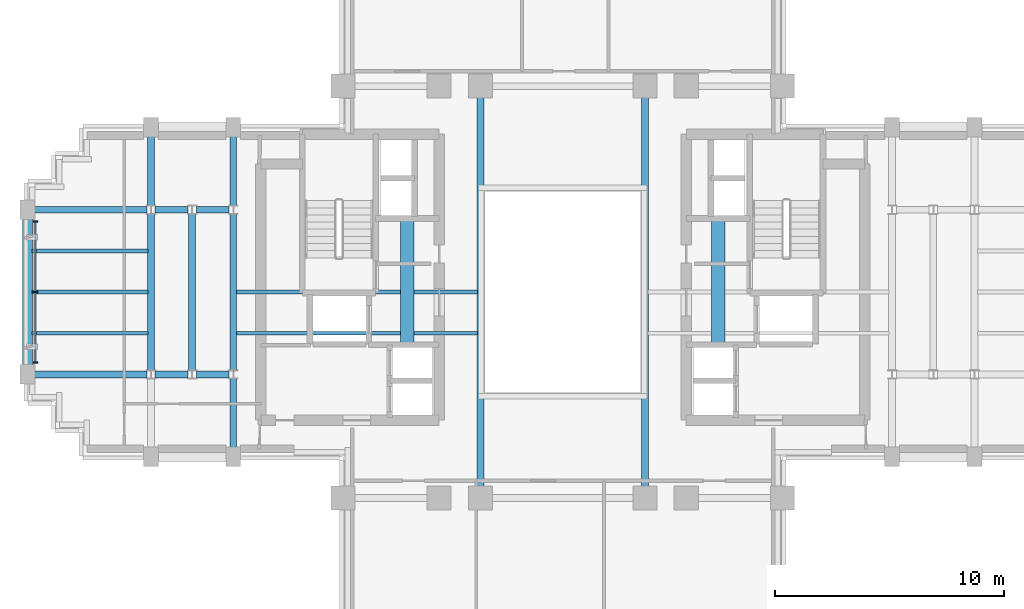
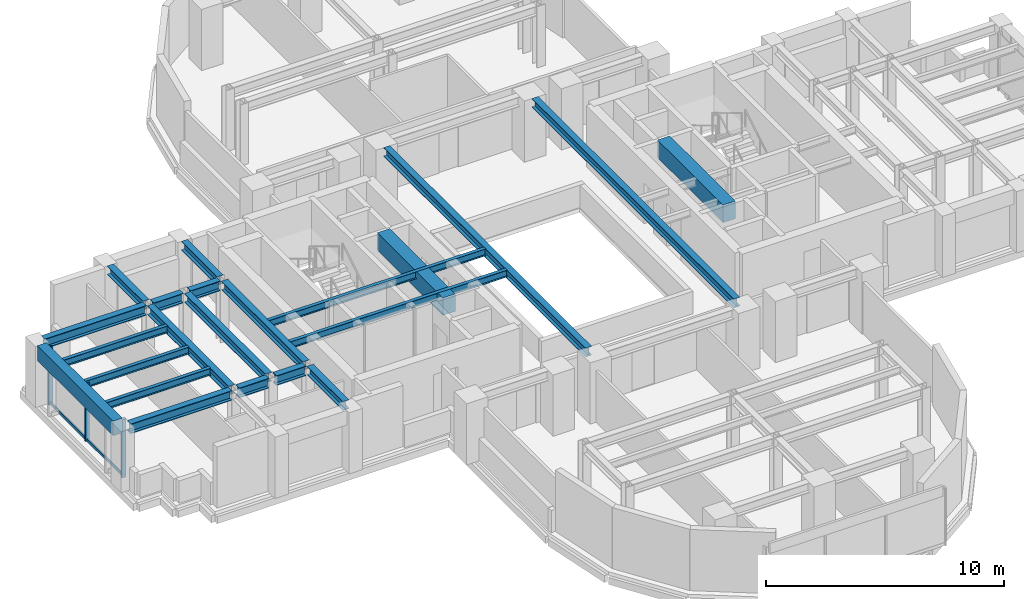
# One storey, part 4 of 13: 22 beams, 5 members, 1 element without a shape of its own.
"""IFC4 building model written with IfcOpenShell, lengths in metres."""

from ifc_helpers import new_model, si_unit, direction, frame, origin, origin_2d, place, context, subcontext, project, spatial, rectangle, i_section, extrude, source, transform, mapped, material, material_profile, profile_set, type_object, element, aggregate, save


model = new_model("IFC4")

# Units and contexts
model_context = context("Model", 3, precision=1e-05, world=origin(), true_north=direction((0.0, 1.0)))
body_context = subcontext(model_context, "Body", "Model", "MODEL_VIEW")
ifc_project = project(units=[si_unit("LENGTHUNIT", "METRE"), si_unit("AREAUNIT", "SQUARE_METRE"), si_unit("VOLUMEUNIT", "CUBIC_METRE"), si_unit("PLANEANGLEUNIT", "RADIAN"), si_unit("MASSUNIT", "GRAM", prefix="KILO")], contexts=[model_context])

# Site, building, storey
site_placement = place(None, origin())
site = spatial("IfcSite", under=ifc_project, at=site_placement, CompositionType="ELEMENT")
building_placement = place(site_placement, origin())
building = spatial("IfcBuilding", under=site, at=building_placement, Name="Keilestroom Media Tower", CompositionType="ELEMENT")
storey_placement = place(building_placement, frame((0.0, 0.0, 148.199951171875)))
storey = spatial("IfcBuildingStorey", under=building, at=storey_placement, Name="L40", CompositionType="ELEMENT", Elevation=148.199951171875)

# Beams
ifc_material_1 = material(Name="Concrete C70/85", Category="concrete")
ifc_material_profile_1 = material_profile(ifc_material_1, rectangle(XDim=0.60009765625, YDim=0.89990234375, at=origin_2d()), Name="RC 600x900")
ifc_profile_set_1 = profile_set([ifc_material_profile_1], Name="Concrete C70/85")
beam_type_1 = type_object("IfcBeamType", Name="Core-Coupling-Lintel-Beam-RC-600x900", PredefinedType="LINTEL", material=ifc_profile_set_1)
shared_shape_1 = source(origin(), body_context, "Body", "SweptSolid", [
    extrude(rectangle(XDim=0.60009765625, YDim=0.89990234375, at=origin_2d()), origin(), (0.0, 0.0, 1.0), 5.52001953125),
])
for number, where, z_axis, x_axis, name in (
    (1, (-6.800048828125, -2.300048828125, 2.68994140625), (0.0, 1.0, 0.0), (-1.0, 0.0, 0.0), "L40 Beam CLB-1 CLB-L40-W"),
    (2, (6.800048828125, -2.300048828125, 2.68994140625), (0.0, 1.0, 0.0), (-1.0, 0.0, 0.0), "L40 Beam CLB-1 CLB-L40-E"),
):
    element("IfcBeam", number, at=place(storey_placement, frame(where, z_axis=z_axis, x_axis=x_axis)), inside=storey, type_object=beam_type_1, Name=name, PredefinedType="LINTEL", context=body_context, shape_type="MappedRepresentation", body=[
        mapped(shared_shape_1, transform((0.0, 0.0, 0.0), x_axis=(1.0, 0.0, 0.0), y_axis=(0.0, 1.0, 0.0), z_axis=(0.0, 0.0, 1.0), scale=1.0)),
    ])
ifc_material_2 = material(Name="Steel S355", Category="steel")
ifc_material_profile_2 = material_profile(ifc_material_2, i_section(OverallWidth=0.169921875, OverallDepth=0.360107421875, WebThickness=0.008056640625, FlangeThickness=0.0126953125, at=origin_2d()), Name="IPE 360")
ifc_profile_set_2 = profile_set([ifc_material_profile_2], Name="Steel S355")
beam_type_2 = type_object("IfcBeamType", Name="Secondary-Floor-Joist-IPE-360", PredefinedType="JOIST", material=ifc_profile_set_2)
shared_shape_2 = source(origin(), body_context, "Body", "SweptSolid", [
    extrude(i_section(OverallWidth=0.169921875, OverallDepth=0.360107421875, WebThickness=0.008056640625, FlangeThickness=0.0126953125, at=origin_2d()), origin(), (0.0, 0.0, 1.0), 10.5400390625),
])
for number, where, z_axis, x_axis, name in (
    (3, (-14.27001953125, -1.800048828125, 2.9599609375), (1.0, 0.0, 0.0), (0.0, 1.0, 0.0), "L40 Beam BJ-5 JST-L40-072"),
    (4, (-14.27001953125, 0.0, 2.9599609375), (1.0, 0.0, 0.0), (0.0, 1.0, 0.0), "L40 Beam BJ-5 JST-L40-077"),
):
    element("IfcBeam", number, at=place(storey_placement, frame(where, z_axis=z_axis, x_axis=x_axis)), inside=storey, type_object=beam_type_2, Name=name, PredefinedType="JOIST", context=body_context, shape_type="MappedRepresentation", body=[
        mapped(shared_shape_2, transform((0.0, 0.0, 0.0), x_axis=(1.0, 0.0, 0.0), y_axis=(0.0, 1.0, 0.0), z_axis=(0.0, 0.0, 1.0), scale=1.0)),
    ])
ifc_material_profile_3 = material_profile(ifc_material_2, i_section(OverallWidth=0.300048828125, OverallDepth=0.5, WebThickness=0.012451171875, FlangeThickness=0.028076171875, at=origin_2d()), Name="HEB 500")
ifc_profile_set_3 = profile_set([ifc_material_profile_3], Name="Steel S355")
beam_type_3 = type_object("IfcBeamType", Name="Primary-Structural-Girder-HEB-500", PredefinedType="BEAM", material=ifc_profile_set_3)
shared_shape_3 = source(origin(), body_context, "Body", "SweptSolid", [
    extrude(i_section(OverallWidth=0.300048828125, OverallDepth=0.5, WebThickness=0.012451171875, FlangeThickness=0.028076171875, at=origin_2d()), origin(), (0.0, 0.0, 1.0), 4.91455078125),
])
for number, where, z_axis, x_axis, name in (
    (5, (-23.094970703125, -3.60009765625, 2.89013671875), (1.0, 0.0, 0.0), (0.0, 1.0, 0.0), "L40 Beam BG-6 BM-L40-EW-014"),
    (6, (-23.094970703125, 3.60009765625, 2.89013671875), (1.0, 0.0, 0.0), (0.0, 1.0, 0.0), "L40 Beam BG-6 BM-L40-EW-020"),
):
    element("IfcBeam", number, at=place(storey_placement, frame(where, z_axis=z_axis, x_axis=x_axis)), inside=storey, type_object=beam_type_3, Name=name, PredefinedType="BEAM", context=body_context, shape_type="MappedRepresentation", body=[
        mapped(shared_shape_3, transform((0.0, 0.0, 0.0), x_axis=(1.0, 0.0, 0.0), y_axis=(0.0, 1.0, 0.0), z_axis=(0.0, 0.0, 1.0), scale=1.0)),
    ])
shared_shape_4 = source(origin(), body_context, "Body", "SweptSolid", [
    extrude(i_section(OverallWidth=0.300048828125, OverallDepth=0.5, WebThickness=0.012451171875, FlangeThickness=0.028076171875, at=origin_2d()), origin(), (0.0, 0.0, 1.0), 1.43896484375),
])
for number, where, z_axis, x_axis, name in (
    (7, (-17.819580078125, -3.60009765625, 2.89013671875), (1.0, 0.0, 0.0), (0.0, 1.0, 0.0), "L40 Beam BG-6 BM-L40-EW-015"),
    (8, (-16.01953125, -3.60009765625, 2.89013671875), (1.0, 0.0, 0.0), (0.0, 1.0, 0.0), "L40 Beam BG-6 BM-L40-EW-016"),
    (9, (-17.819580078125, 3.60009765625, 2.89013671875), (1.0, 0.0, 0.0), (0.0, 1.0, 0.0), "L40 Beam BG-6 BM-L40-EW-021"),
    (10, (-16.01953125, 3.60009765625, 2.89013671875), (1.0, 0.0, 0.0), (0.0, 1.0, 0.0), "L40 Beam BG-6 BM-L40-EW-022"),
):
    element("IfcBeam", number, at=place(storey_placement, frame(where, z_axis=z_axis, x_axis=x_axis)), inside=storey, type_object=beam_type_3, Name=name, PredefinedType="BEAM", context=body_context, shape_type="MappedRepresentation", body=[
        mapped(shared_shape_4, transform((0.0, 0.0, 0.0), x_axis=(1.0, 0.0, 0.0), y_axis=(0.0, 1.0, 0.0), z_axis=(0.0, 0.0, 1.0), scale=1.0)),
    ])
ifc_material_3 = material(Name="Precast concrete C40/50", Category="concrete")
ifc_material_profile_4 = material_profile(ifc_material_3, rectangle(XDim=0.449951171875, YDim=0.75, at=origin_2d()), Name="PC 450x750")
ifc_profile_set_4 = profile_set([ifc_material_profile_4], Name="Precast concrete C40/50")
beam_type_4 = type_object("IfcBeamType", Name="Perimeter-Spandrel-Beam-PC-450x750", PredefinedType="SPANDREL", material=ifc_profile_set_4)
shared_shape_5 = source(origin(), body_context, "Body", "SweptSolid", [
    extrude(rectangle(XDim=0.449951171875, YDim=0.75, at=origin_2d()), origin(), (0.0, 0.0, 1.0), 6.39013671875),
])
beam_placement = place(storey_placement, frame((-23.39990234375, -3.195068359375, 2.76513671875), z_axis=(0.0, 1.0, 0.0), x_axis=(-1.0, 0.0, 0.0)))
element("IfcBeam", 11, at=beam_placement, inside=storey, type_object=beam_type_4, Name="L40 Beam SPB-1 BM-L40-NS-039", PredefinedType="SPANDREL", context=body_context, shape_type="MappedRepresentation", body=[
    mapped(shared_shape_5, transform((0.0, 0.0, 0.0), x_axis=(1.0, 0.0, 0.0), y_axis=(0.0, 1.0, 0.0), z_axis=(0.0, 0.0, 1.0), scale=1.0)),
])
ifc_material_profile_5 = material_profile(ifc_material_2, i_section(OverallWidth=0.300048828125, OverallDepth=0.449951171875, WebThickness=0.011962890625, FlangeThickness=0.02587890625, at=origin_2d()), Name="HEB 450")
ifc_profile_set_5 = profile_set([ifc_material_profile_5], Name="Steel S355")
beam_type_5 = type_object("IfcBeamType", Name="Primary-Structural-Girder-HEB-450", PredefinedType="BEAM", material=ifc_profile_set_5)
shared_shape_6 = source(origin(), body_context, "Body", "SweptSolid", [
    extrude(i_section(OverallWidth=0.300048828125, OverallDepth=0.449951171875, WebThickness=0.011962890625, FlangeThickness=0.02587890625, at=origin_2d()), origin(), (0.0, 0.0, 1.0), 3.015380859375),
])
for number, where, z_axis, x_axis, name in (
    (12, (-18.0, 3.779541015625, 2.9150390625), (0.0, 1.0, 0.0), (-1.0, 0.0, 0.0), "L40 Beam BG-7 BM-L40-NS-042"),
    (13, (-14.39990234375, -6.794921875, 2.9150390625), (0.0, 1.0, 0.0), (-1.0, 0.0, 0.0), "L40 Beam BG-7 BM-L40-NS-044"),
    (14, (-14.39990234375, 3.779541015625, 2.9150390625), (0.0, 1.0, 0.0), (-1.0, 0.0, 0.0), "L40 Beam BG-7 BM-L40-NS-046"),
):
    element("IfcBeam", number, at=place(storey_placement, frame(where, z_axis=z_axis, x_axis=x_axis)), inside=storey, type_object=beam_type_5, Name=name, PredefinedType="BEAM", context=body_context, shape_type="MappedRepresentation", body=[
        mapped(shared_shape_6, transform((0.0, 0.0, 0.0), x_axis=(1.0, 0.0, 0.0), y_axis=(0.0, 1.0, 0.0), z_axis=(0.0, 0.0, 1.0), scale=1.0)),
    ])
shared_shape_7 = source(origin(), body_context, "Body", "SweptSolid", [
    extrude(i_section(OverallWidth=0.300048828125, OverallDepth=0.449951171875, WebThickness=0.011962890625, FlangeThickness=0.02587890625, at=origin_2d()), origin(), (0.0, 0.0, 1.0), 6.8408203125),
])
for number, where, z_axis, x_axis, name in (
    (15, (-18.0, -3.42041015625, 2.9150390625), (0.0, 1.0, 0.0), (-1.0, 0.0, 0.0), "L40 Beam BG-7 BM-L40-NS-041"),
    (16, (-16.199951171875, -3.42041015625, 2.9150390625), (0.0, 1.0, 0.0), (-1.0, 0.0, 0.0), "L40 Beam BG-7 BM-L40-NS-043"),
    (17, (-14.39990234375, -3.42041015625, 2.9150390625), (0.0, 1.0, 0.0), (-1.0, 0.0, 0.0), "L40 Beam BG-7 BM-L40-NS-045"),
):
    element("IfcBeam", number, at=place(storey_placement, frame(where, z_axis=z_axis, x_axis=x_axis)), inside=storey, type_object=beam_type_5, Name=name, PredefinedType="BEAM", context=body_context, shape_type="MappedRepresentation", body=[
        mapped(shared_shape_7, transform((0.0, 0.0, 0.0), x_axis=(1.0, 0.0, 0.0), y_axis=(0.0, 1.0, 0.0), z_axis=(0.0, 0.0, 1.0), scale=1.0)),
    ])
shared_shape_8 = source(origin(), body_context, "Body", "SweptSolid", [
    extrude(i_section(OverallWidth=0.300048828125, OverallDepth=0.449951171875, WebThickness=0.011962890625, FlangeThickness=0.02587890625, at=origin_2d()), origin(), (0.0, 0.0, 1.0), 16.990234375),
])
for number, where, z_axis, x_axis, name in (
    (18, (-3.60009765625, -8.4951171875, 2.9150390625), (0.0, 1.0, 0.0), (-1.0, 0.0, 0.0), "L40 Beam BG-7 BM-L40-NS-051"),
    (19, (3.60009765625, -8.4951171875, 2.9150390625), (0.0, 1.0, 0.0), (-1.0, 0.0, 0.0), "L40 Beam BG-7 BM-L40-NS-056"),
):
    element("IfcBeam", number, at=place(storey_placement, frame(where, z_axis=z_axis, x_axis=x_axis)), inside=storey, type_object=beam_type_5, Name=name, PredefinedType="BEAM", context=body_context, shape_type="MappedRepresentation", body=[
        mapped(shared_shape_8, transform((0.0, 0.0, 0.0), x_axis=(1.0, 0.0, 0.0), y_axis=(0.0, 1.0, 0.0), z_axis=(0.0, 0.0, 1.0), scale=1.0)),
    ])
shared_shape_9 = source(origin(), body_context, "Body", "SweptSolid", [
    extrude(i_section(OverallWidth=0.169921875, OverallDepth=0.360107421875, WebThickness=0.008056640625, FlangeThickness=0.0126953125, at=origin_2d()), origin(), (0.0, 0.0, 1.0), 5.065185546875),
])
for number, where, z_axis, x_axis, name in (
    (20, (-23.195068359375, -1.800048828125, 2.9599609375), (1.0, 0.0, 0.0), (0.0, 1.0, 0.0), "L40 Beam BJ-5 JST-L40-071"),
    (21, (-23.195068359375, 0.0, 2.9599609375), (1.0, 0.0, 0.0), (0.0, 1.0, 0.0), "L40 Beam BJ-5 JST-L40-076"),
    (22, (-23.195068359375, 1.800048828125, 2.9599609375), (1.0, 0.0, 0.0), (0.0, 1.0, 0.0), "L40 Beam BJ-5 JST-L40-081"),
):
    element("IfcBeam", number, at=place(storey_placement, frame(where, z_axis=z_axis, x_axis=x_axis)), inside=storey, type_object=beam_type_2, Name=name, PredefinedType="JOIST", context=body_context, shape_type="MappedRepresentation", body=[
        mapped(shared_shape_9, transform((0.0, 0.0, 0.0), x_axis=(1.0, 0.0, 0.0), y_axis=(0.0, 1.0, 0.0), z_axis=(0.0, 0.0, 1.0), scale=1.0)),
    ])

# Curtain wall, members
ifc_material_4 = material(Name="Anodised Aluminium Alloy", Category="aluminium")
curtain_wall_type = type_object("IfcCurtainWallType", Name="Unitised-Curtain-Wall-CW-2", PredefinedType="NOTDEFINED", material=ifc_material_4)
curtain_wall_placement = place(storey_placement, origin())
curtain_wall = element("IfcCurtainWall", 23, at=curtain_wall_placement, inside=storey, type_object=curtain_wall_type, Name="L40 Curtain Wall CW-2 CW-L40-W-1", PredefinedType="NOTDEFINED")
ifc_material_profile_6 = material_profile(ifc_material_4, rectangle(XDim=0.070068359375, YDim=0.199951171875, at=origin_2d()), Name="ALU MULLION 70x200")
ifc_profile_set_6 = profile_set([ifc_material_profile_6], Name="Anodised Aluminium Alloy")
member_type_1 = type_object("IfcMemberType", Name="Curtain-Wall-Mullion-CW-2", PredefinedType="MULLION", material=ifc_profile_set_6)
shared_shape_10 = source(origin(), body_context, "Body", "SweptSolid", [
    extrude(rectangle(XDim=0.070068359375, YDim=0.199951171875, at=origin_2d()), origin(), (0.0, 0.0, 1.0), 2.97998046875),
])
member_1_placement = place(storey_placement, frame((-23.050048828125, -3.080078125, 0.0), z_axis=(0.0, 0.0, 1.0), x_axis=(0.0, 1.0, 0.0)))
member_1 = element("IfcMember", 24, at=member_1_placement, type_object=member_type_1, Name="CW-2 Mullion 00", PredefinedType="MULLION", context=body_context, shape_type="MappedRepresentation", body=[
    mapped(shared_shape_10, transform((0.0, 0.0, 0.0), x_axis=(1.0, 0.0, 0.0), y_axis=(0.0, 1.0, 0.0), z_axis=(0.0, 0.0, 1.0), scale=1.0)),
])
member_2_placement = place(storey_placement, frame((-23.050048828125, 0.0, 0.0), z_axis=(0.0, 0.0, 1.0), x_axis=(0.0, 1.0, 0.0)))
member_2 = element("IfcMember", 25, at=member_2_placement, type_object=member_type_1, Name="CW-2 Mullion 01", PredefinedType="MULLION", context=body_context, shape_type="MappedRepresentation", body=[
    mapped(shared_shape_10, transform((0.0, 0.0, 0.0), x_axis=(1.0, 0.0, 0.0), y_axis=(0.0, 1.0, 0.0), z_axis=(0.0, 0.0, 1.0), scale=1.0)),
])
member_3_placement = place(storey_placement, frame((-23.050048828125, 3.080078125, 0.0), z_axis=(0.0, 0.0, 1.0), x_axis=(0.0, 1.0, 0.0)))
member_3 = element("IfcMember", 26, at=member_3_placement, type_object=member_type_1, Name="CW-2 Mullion 02", PredefinedType="MULLION", context=body_context, shape_type="MappedRepresentation", body=[
    mapped(shared_shape_10, transform((0.0, 0.0, 0.0), x_axis=(1.0, 0.0, 0.0), y_axis=(0.0, 1.0, 0.0), z_axis=(0.0, 0.0, 1.0), scale=1.0)),
])
ifc_material_profile_7 = material_profile(ifc_material_4, rectangle(XDim=0.06494140625, YDim=0.14990234375, at=origin_2d()), Name="ALU TRANSOM 65x150")
ifc_profile_set_7 = profile_set([ifc_material_profile_7], Name="Anodised Aluminium Alloy")
member_type_2 = type_object("IfcMemberType", Name="Curtain-Wall-Transom-CW-2", PredefinedType="USERDEFINED", material=ifc_profile_set_7)
shared_shape_11 = source(origin(), body_context, "Body", "SweptSolid", [
    extrude(rectangle(XDim=0.06494140625, YDim=0.14990234375, at=origin_2d()), origin(), (0.0, 0.0, 1.0), 3.01416015625),
])
member_4_placement = place(storey_placement, frame((-23.050048828125, -3.047119140625, 0.074951171875), z_axis=(0.0, 1.0, 0.0), x_axis=(-1.0, 0.0, 0.0)))
member_4 = element("IfcMember", 27, at=member_4_placement, type_object=member_type_2, Name="CW-2 Transom 00.1", ObjectType="TRANSOM", PredefinedType="USERDEFINED", context=body_context, shape_type="MappedRepresentation", body=[
    mapped(shared_shape_11, transform((0.0, 0.0, 0.0), x_axis=(1.0, 0.0, 0.0), y_axis=(0.0, 1.0, 0.0), z_axis=(0.0, 0.0, 1.0), scale=1.0)),
])
member_5_placement = place(storey_placement, frame((-23.050048828125, 0.032958984375, 0.074951171875), z_axis=(0.0, 1.0, 0.0), x_axis=(-1.0, 0.0, 0.0)))
member_5 = element("IfcMember", 28, at=member_5_placement, type_object=member_type_2, Name="CW-2 Transom 01.1", ObjectType="TRANSOM", PredefinedType="USERDEFINED", context=body_context, shape_type="MappedRepresentation", body=[
    mapped(shared_shape_11, transform((0.0, 0.0, 0.0), x_axis=(1.0, 0.0, 0.0), y_axis=(0.0, 1.0, 0.0), z_axis=(0.0, 0.0, 1.0), scale=1.0)),
])
aggregate(curtain_wall, [member_1, member_2, member_3, member_4, member_5])

save(model, "model.ifc")
